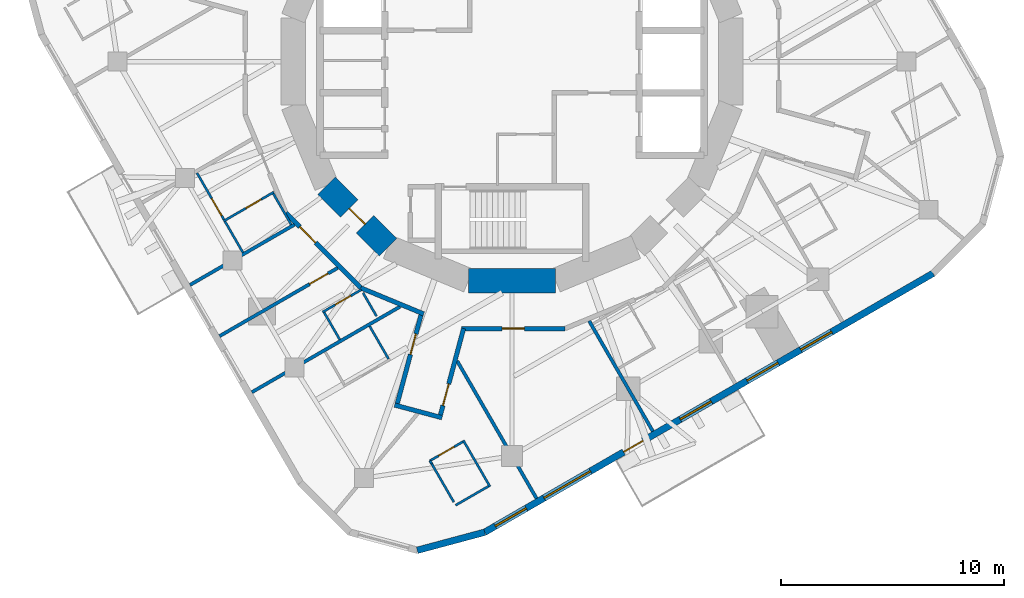
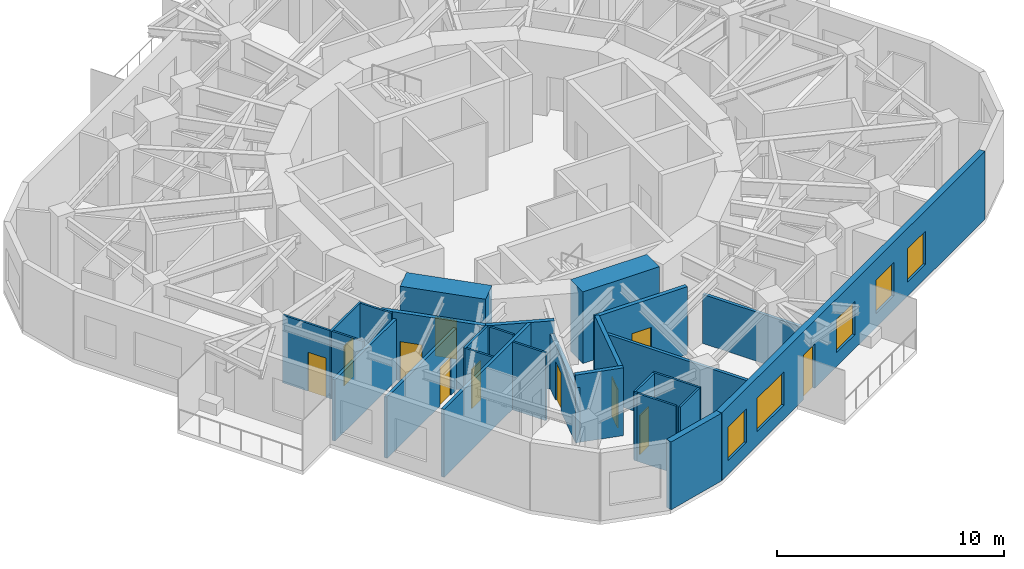
# One storey, part 4 of 11: 28 walls, 11 doors, 5 windows, 16 openings.
"""IFC4 building model written with IfcOpenShell, lengths in metres."""

from ifc_helpers import new_model, si_unit, direction, frame, frame_2d, origin, place, context, subcontext, project, spatial, rectangle, extrude, material, layer, layer_set, type_object, element, fill, save


model = new_model("IFC4")

# Units and contexts
model_context = context("Model", 3, precision=1e-05, world=origin(), true_north=direction((0.0, 1.0)))
body_context = subcontext(model_context, "Body", "Model", "MODEL_VIEW")
ifc_project = project(units=[si_unit("LENGTHUNIT", "METRE"), si_unit("AREAUNIT", "SQUARE_METRE"), si_unit("VOLUMEUNIT", "CUBIC_METRE"), si_unit("PLANEANGLEUNIT", "RADIAN"), si_unit("MASSUNIT", "GRAM", prefix="KILO")], contexts=[model_context])

# Site, building, storey
site_placement = place(None, origin())
site = spatial("IfcSite", under=ifc_project, at=site_placement, CompositionType="ELEMENT")
building_placement = place(site_placement, origin())
building = spatial("IfcBuilding", under=site, at=building_placement, Name="Nakasero Lantern House", CompositionType="ELEMENT")
storey_placement = place(building_placement, frame((0.0, 0.0, 238.5)))
storey = spatial("IfcBuildingStorey", under=building, at=storey_placement, Name="L58", CompositionType="ELEMENT", Elevation=238.5)

# Wall, opening, door
ifc_material_1 = material(Name="Concrete C50/60", Category="concrete")
ifc_layer_1 = layer(ifc_material_1, 1.10009765625)
ifc_layer_set_1 = layer_set([ifc_layer_1], Name="Core wall 1100")
wall_type_1 = type_object("IfcWallType", Name="Core wall 1100", PredefinedType="SHEAR", material=ifc_layer_set_1)
wall_1_placement = place(storey_placement, frame((-8.314697265625, -5.5556640625, 0.0), z_axis=(0.0, 0.0, 1.0), x_axis=(0.707106781187, -0.707106781187, 0.0)))
wall_1 = element("IfcWall", 1, at=wall_1_placement, inside=storey, type_object=wall_type_1, Name="Core wall L58 facet 10", PredefinedType="SHEAR", context=body_context, shape_type="SweptSolid", body=[
    extrude(rectangle(XDim=3.90185546875, YDim=1.10009765625, at=frame_2d((1.950927734375, 0.0))), origin(), (0.0, 0.0, 1.0), 3.85009765625),
])
opening_1_placement = place(wall_1_placement, frame((1.450927734375, 0.0, 0.0)))
opening_1 = element("IfcOpeningElement", 2, at=opening_1_placement, cuts=wall_1, Name="Opening D05", PredefinedType="OPENING", context=body_context, shape_type="SweptSolid", body=[
    extrude(rectangle(XDim=1.0, YDim=2.10009765625, at=frame_2d((0.5, 1.050048828125))), frame((0.0, 0.570068359375, 0.0), z_axis=(0.0, -1.0, 0.0), x_axis=(1.0, 0.0, 0.0)), (0.0, 0.0, 1.0), 1.14013671875),
])
ifc_material_2 = material(Name="Timber C24", Category="wood")
door_type_1 = type_object("IfcDoorType", Name="Core door FD60S 1000", OperationType="SINGLE_SWING_LEFT", PredefinedType="DOOR", material=ifc_material_2)
door_1_placement = place(opening_1_placement, origin())
door_1 = element("IfcDoor", 3, at=door_1_placement, inside=storey, type_object=door_type_1, Name="Door L58 D-CORE10", OperationType="SINGLE_SWING_LEFT", OverallHeight=2.10009765625, OverallWidth=1.0, PredefinedType="DOOR", context=body_context, shape_type="SweptSolid", body=[
    extrude(rectangle(XDim=1.0, YDim=2.10009765625, at=frame_2d((0.5, 1.050048828125))), frame((0.0, 0.02490234375, 0.0), z_axis=(0.0, -1.0, 0.0), x_axis=(1.0, 0.0, 0.0)), (0.0, 0.0, 1.0), 0.050048828125),
])
fill(opening_1, door_1)

# Wall
wall_2_placement = place(storey_placement, frame((-1.950927734375, -9.807861328125, 0.0), z_axis=(0.0, 0.0, 1.0), x_axis=(1.0, 0.0, 0.0)))
element("IfcWall", 4, at=wall_2_placement, inside=storey, type_object=wall_type_1, Name="Core wall L58 facet 12", PredefinedType="SHEAR", context=body_context, shape_type="SweptSolid", body=[
    extrude(rectangle(XDim=3.90185546875, YDim=1.10009765625, at=frame_2d((1.950927734375, 0.0))), origin(), (0.0, 0.0, 1.0), 3.85009765625),
])

# Wall, opening, door
ifc_material_3 = material(Name="Blockwork", Category="masonry")
ifc_layer_2 = layer(ifc_material_3, 0.199951171875)
ifc_layer_set_2 = layer_set([ifc_layer_2], Name="Corridor wall 200")
wall_type_2 = type_object("IfcWallType", Name="Corridor wall 200", PredefinedType="PARTITIONING", material=ifc_layer_set_2)
wall_3_placement = place(storey_placement, frame((2.378662109375, -11.957763671875, 0.0), z_axis=(0.0, 0.0, 1.0), x_axis=(-1.0, 0.0, 0.0)))
wall_3 = element("IfcWall", 5, at=wall_3_placement, inside=storey, type_object=wall_type_2, Name="Corridor wall L58 RC04a", PredefinedType="PARTITIONING", context=body_context, shape_type="SweptSolid", body=[
    extrude(rectangle(XDim=4.651123046875, YDim=0.199951171875, at=frame_2d((2.32568359375, 0.0))), origin(), (0.0, 0.0, 1.0), 3.64990234375),
])
opening_2_placement = place(wall_3_placement, frame((1.820068359375, 0.0, 0.0)))
opening_2 = element("IfcOpeningElement", 6, at=opening_2_placement, cuts=wall_3, Name="Opening D03", PredefinedType="OPENING", context=body_context, shape_type="SweptSolid", body=[
    extrude(rectangle(XDim=1.0, YDim=2.10009765625, at=frame_2d((0.5, 1.050048828125))), frame((0.0, 0.119873046875, 0.0), z_axis=(0.0, -1.0, 0.0), x_axis=(1.0, 0.0, 0.0)), (0.0, 0.0, 1.0), 0.239990234375),
])
ifc_material_4 = material(Name="Timber C24", Category="wood")
door_type_2 = type_object("IfcDoorType", Name="Lounge door FD30S 1000", OperationType="SINGLE_SWING_LEFT", PredefinedType="DOOR", material=ifc_material_4)
door_2_placement = place(opening_2_placement, origin())
door_2 = element("IfcDoor", 7, at=door_2_placement, inside=storey, type_object=door_type_2, Name="Door L58 DK3", OperationType="SINGLE_SWING_LEFT", OverallHeight=2.10009765625, OverallWidth=1.0, PredefinedType="DOOR", context=body_context, shape_type="SweptSolid", body=[
    extrude(rectangle(XDim=1.0, YDim=2.10009765625, at=frame_2d((0.5, 1.050048828125))), frame((0.0, 0.02490234375, 0.0), z_axis=(0.0, -1.0, 0.0), x_axis=(1.0, 0.0, 0.0)), (0.0, 0.0, 1.0), 0.050048828125),
])
fill(opening_2, door_2)

# Wall
wall_4_placement = place(storey_placement, frame((-3.960205078125, -11.302734375, 0.0), z_axis=(0.0, 0.0, 1.0), x_axis=(-0.923890787601, 0.382656259044, 0.0)))
element("IfcWall", 8, at=wall_4_placement, inside=storey, type_object=wall_type_2, Name="Corridor wall L58 RC05a", PredefinedType="PARTITIONING", context=body_context, shape_type="SweptSolid", body=[
    extrude(rectangle(XDim=3.045166015625, YDim=0.199951171875, at=frame_2d((1.5224609375, 0.0))), origin(), (0.0, 0.0, 1.0), 3.64990234375),
])

# Wall, opening, door
wall_5_placement = place(storey_placement, frame((-6.773681640625, -10.137451171875, 0.0), z_axis=(0.0, 0.0, 1.0), x_axis=(-0.707106781187, 0.707106781187, 0.0)))
wall_5 = element("IfcWall", 9, at=wall_5_placement, inside=storey, type_object=wall_type_2, Name="Corridor wall L58 RC06a", PredefinedType="PARTITIONING", context=body_context, shape_type="SweptSolid", body=[
    extrude(rectangle(XDim=4.757080078125, YDim=0.199951171875, at=frame_2d((2.37841796875, 0.0))), origin(), (0.0, 0.0, 1.0), 3.64990234375),
])
opening_3_placement = place(wall_5_placement, frame((2.8701171875, 0.0, 0.0)))
opening_3 = element("IfcOpeningElement", 10, at=opening_3_placement, cuts=wall_5, Name="Opening D14", PredefinedType="OPENING", context=body_context, shape_type="SweptSolid", body=[
    extrude(rectangle(XDim=1.0, YDim=2.10009765625, at=frame_2d((0.5, 1.050048828125))), frame((0.0, 0.119873046875, 0.0), z_axis=(0.0, -1.0, 0.0), x_axis=(1.0, 0.0, 0.0)), (0.0, 0.0, 1.0), 0.239990234375),
])
ifc_material_5 = material(Name="Timber C24", Category="wood")
door_type_3 = type_object("IfcDoorType", Name="Cluster entrance door FD30S 1000", OperationType="SINGLE_SWING_LEFT", PredefinedType="DOOR", material=ifc_material_5)
door_3_placement = place(opening_3_placement, origin())
door_3 = element("IfcDoor", 11, at=door_3_placement, inside=storey, type_object=door_type_3, Name="Door L58 D2-04", OperationType="SINGLE_SWING_RIGHT", OverallHeight=2.10009765625, OverallWidth=1.0, PredefinedType="DOOR", context=body_context, shape_type="SweptSolid", body=[
    extrude(rectangle(XDim=1.0, YDim=2.10009765625, at=frame_2d((0.5, 1.050048828125))), frame((0.0, 0.02490234375, 0.0), z_axis=(0.0, -1.0, 0.0), x_axis=(1.0, 0.0, 0.0)), (0.0, 0.0, 1.0), 0.050048828125),
])
fill(opening_3, door_3)

wall_6_placement = place(storey_placement, frame((-4.053466796875, -11.26416015625, 0.0), z_axis=(0.0, 0.0, 1.0), x_axis=(-0.258841611204, -0.965919779438, 0.0)))
wall_6 = element("IfcWall", 12, at=wall_6_placement, inside=storey, type_object=wall_type_2, Name="Corridor wall L58 SP2a", PredefinedType="PARTITIONING", context=body_context, shape_type="SweptSolid", body=[
    extrude(rectangle(XDim=4.394287109375, YDim=0.199951171875, at=frame_2d((2.197265625, 0.0))), origin(), (0.0, 0.0, 1.0), 2.95703125),
])
opening_4_placement = place(wall_6_placement, frame((0.969970703125, 0.0, 0.0)))
opening_4 = element("IfcOpeningElement", 13, at=opening_4_placement, cuts=wall_6, Name="Opening D01", PredefinedType="OPENING", context=body_context, shape_type="SweptSolid", body=[
    extrude(rectangle(XDim=0.949951171875, YDim=2.10009765625, at=frame_2d((0.47509765625, 1.050048828125))), frame((0.0, 0.119873046875, 0.0), z_axis=(0.0, -1.0, 0.0), x_axis=(1.0, 0.0, 0.0)), (0.0, 0.0, 1.0), 0.239990234375),
])
ifc_material_6 = material(Name="Timber C24", Category="wood")
door_type_4 = type_object("IfcDoorType", Name="Bedroom door FD30S 950", OperationType="SINGLE_SWING_LEFT", PredefinedType="DOOR", material=ifc_material_6)
door_4_placement = place(opening_4_placement, origin())
door_4 = element("IfcDoor", 14, at=door_4_placement, inside=storey, type_object=door_type_4, Name="Door L58 D2-06", OperationType="SINGLE_SWING_LEFT", OverallHeight=2.10009765625, OverallWidth=0.949951171875, PredefinedType="DOOR", context=body_context, shape_type="SweptSolid", body=[
    extrude(rectangle(XDim=0.949951171875, YDim=2.10009765625, at=frame_2d((0.47509765625, 1.050048828125))), frame((0.0, 0.02490234375, 0.0), z_axis=(0.0, -1.0, 0.0), x_axis=(1.0, 0.0, 0.0)), (0.0, 0.0, 1.0), 0.050048828125),
])
fill(opening_4, door_4)

wall_7_placement = place(storey_placement, frame((-2.168701171875, -11.957763671875, 0.0), z_axis=(0.0, 0.0, 1.0), x_axis=(-0.258852936168, -0.965916744568, 0.0)))
wall_7 = element("IfcWall", 15, at=wall_7_placement, inside=storey, type_object=wall_type_2, Name="Corridor wall L58 SP2b", PredefinedType="PARTITIONING", context=body_context, shape_type="SweptSolid", body=[
    extrude(rectangle(XDim=4.212158203125, YDim=0.199951171875, at=frame_2d((2.10595703125, 0.0))), origin(), (0.0, 0.0, 1.0), 3.64990234375),
])
opening_5_placement = place(wall_7_placement, frame((2.570068359375, 0.0, 0.0)))
opening_5 = element("IfcOpeningElement", 16, at=opening_5_placement, cuts=wall_7, Name="Opening D07", PredefinedType="OPENING", context=body_context, shape_type="SweptSolid", body=[
    extrude(rectangle(XDim=1.0, YDim=2.10009765625, at=frame_2d((0.5, 1.050048828125))), frame((0.0, 0.119873046875, 0.0), z_axis=(0.0, -1.0, 0.0), x_axis=(1.0, 0.0, 0.0)), (0.0, 0.0, 1.0), 0.239990234375),
])
ifc_material_7 = material(Name="Timber C24", Category="wood")
door_type_5 = type_object("IfcDoorType", Name="Room door FD30S 1000", OperationType="SINGLE_SWING_LEFT", PredefinedType="DOOR", material=ifc_material_7)
door_5_placement = place(opening_5_placement, origin())
door_5 = element("IfcDoor", 17, at=door_5_placement, inside=storey, type_object=door_type_5, Name="Door L58 D3-00", OperationType="SINGLE_SWING_RIGHT", OverallHeight=2.10009765625, OverallWidth=1.0, PredefinedType="DOOR", context=body_context, shape_type="SweptSolid", body=[
    extrude(rectangle(XDim=1.0, YDim=2.10009765625, at=frame_2d((0.5, 1.050048828125))), frame((0.0, 0.02490234375, 0.0), z_axis=(0.0, -1.0, 0.0), x_axis=(1.0, 0.0, 0.0)), (0.0, 0.0, 1.0), 0.050048828125),
])
fill(opening_5, door_5)

# Wall
wall_8_placement = place(storey_placement, frame((-5.261474609375, -15.38623046875, 0.0), z_axis=(0.0, 0.0, 1.0), x_axis=(0.965904454439, -0.258898792763, 0.0)))
element("IfcWall", 18, at=wall_8_placement, inside=storey, type_object=wall_type_2, Name="Corridor wall L58 SP2e", PredefinedType="PARTITIONING", context=body_context, shape_type="SweptSolid", body=[
    extrude(rectangle(XDim=2.199951171875, YDim=0.199951171875, at=frame_2d((1.10009765625, 0.0))), origin(), (0.0, 0.0, 1.0), 3.64990234375),
])

# Wall, opening, door
ifc_material_8 = material(Name="Blockwork", Category="masonry")
ifc_layer_3 = layer(ifc_material_8, 0.10009765625)
ifc_layer_set_3 = layer_set([ifc_layer_3], Name="En-suite wall 100")
wall_type_3 = type_object("IfcWallType", Name="En-suite wall 100", PredefinedType="PARTITIONING", material=ifc_layer_set_3)
wall_9_placement = place(storey_placement, frame((-10.674560546875, -5.846435546875, 0.0), z_axis=(0.0, 0.0, 1.0), x_axis=(-0.866021400173, -0.500006934395, 0.0)))
wall_9 = element("IfcWall", 19, at=wall_9_placement, inside=storey, type_object=wall_type_3, Name="En-suite wall L58 ES2-03", PredefinedType="PARTITIONING", context=body_context, shape_type="SweptSolid", body=[
    extrude(rectangle(XDim=2.60009765625, YDim=0.10009765625, at=frame_2d((1.300048828125, 0.0))), origin(), (0.0, 0.0, 1.0), 3.64990234375),
])
opening_6_placement = place(wall_9_placement, frame((0.64990234375, 0.0, 0.0)))
opening_6 = element("IfcOpeningElement", 20, at=opening_6_placement, cuts=wall_9, Name="Opening D02", PredefinedType="OPENING", context=body_context, shape_type="SweptSolid", body=[
    extrude(rectangle(XDim=0.800048828125, YDim=2.10009765625, at=frame_2d((0.39990234375, 1.050048828125))), frame((0.0, 0.070068359375, 0.0), z_axis=(0.0, -1.0, 0.0), x_axis=(1.0, 0.0, 0.0)), (0.0, 0.0, 1.0), 0.14013671875),
])
ifc_material_9 = material(Name="Timber C24", Category="wood")
door_type_6 = type_object("IfcDoorType", Name="En-suite door 800", OperationType="SINGLE_SWING_RIGHT", PredefinedType="DOOR", material=ifc_material_9)
door_6_placement = place(opening_6_placement, origin())
door_6 = element("IfcDoor", 21, at=door_6_placement, inside=storey, type_object=door_type_6, Name="Door L58 DE2-03", OperationType="SINGLE_SWING_LEFT", OverallHeight=2.10009765625, OverallWidth=0.800048828125, PredefinedType="DOOR", context=body_context, shape_type="SweptSolid", body=[
    extrude(rectangle(XDim=0.800048828125, YDim=2.10009765625, at=frame_2d((0.39990234375, 1.050048828125))), frame((0.0, 0.02490234375, 0.0), z_axis=(0.0, -1.0, 0.0), x_axis=(1.0, 0.0, 0.0)), (0.0, 0.0, 1.0), 0.050048828125),
])
fill(opening_6, door_6)

# Walls
for number, where, z_axis, x_axis, name in (
    (22, (-12.85791015625, -7.164794921875, 0.0), (0.0, 0.0, 1.0), (0.499880961361, -0.866094119867, 0.0), "En-suite wall L58 EE2-03"),
    (23, (-10.69287109375, -5.914794921875, 0.0), (0.0, 0.0, 1.0), (0.499880961361, -0.866094119867, 0.0), "En-suite wall L58 EI2-03"),
):
    element("IfcWall", number, at=place(storey_placement, frame(where, z_axis=z_axis, x_axis=x_axis)), inside=storey, type_object=wall_type_3, Name=name, PredefinedType="PARTITIONING", context=body_context, shape_type="SweptSolid", body=[
        extrude(rectangle(XDim=1.60009765625, YDim=0.10009765625, at=frame_2d((0.800048828125, 0.0))), origin(), (0.0, 0.0, 1.0), 3.64990234375),
    ])

# Wall, opening, door
wall_10_placement = place(storey_placement, frame((-6.754150390625, -10.220703125, 0.0), z_axis=(0.0, 0.0, 1.0), x_axis=(-0.866010750942, -0.50002537861, 0.0)))
wall_10 = element("IfcWall", 24, at=wall_10_placement, inside=storey, type_object=wall_type_3, Name="En-suite wall L58 ES2-05", PredefinedType="PARTITIONING", context=body_context, shape_type="SweptSolid", body=[
    extrude(rectangle(XDim=2.0, YDim=0.10009765625, at=frame_2d((1.0, 0.0))), origin(), (0.0, 0.0, 1.0), 3.64990234375),
])
opening_7_placement = place(wall_10_placement, frame((0.550048828125, 0.0, 0.0)))
opening_7 = element("IfcOpeningElement", 25, at=opening_7_placement, cuts=wall_10, Name="Opening D02", PredefinedType="OPENING", context=body_context, shape_type="SweptSolid", body=[
    extrude(rectangle(XDim=0.800048828125, YDim=2.10009765625, at=frame_2d((0.39990234375, 1.050048828125))), frame((0.0, 0.070068359375, 0.0), z_axis=(0.0, -1.0, 0.0), x_axis=(1.0, 0.0, 0.0)), (0.0, 0.0, 1.0), 0.14013671875),
])
door_7_placement = place(opening_7_placement, origin())
door_7 = element("IfcDoor", 26, at=door_7_placement, inside=storey, type_object=door_type_6, Name="Door L58 DE2-05", OperationType="SINGLE_SWING_LEFT", OverallHeight=2.10009765625, OverallWidth=0.800048828125, PredefinedType="DOOR", context=body_context, shape_type="SweptSolid", body=[
    extrude(rectangle(XDim=0.800048828125, YDim=2.10009765625, at=frame_2d((0.39990234375, 1.050048828125))), frame((0.0, 0.02490234375, 0.0), z_axis=(0.0, -1.0, 0.0), x_axis=(1.0, 0.0, 0.0)), (0.0, 0.0, 1.0), 0.050048828125),
])
fill(opening_7, door_7)

# Walls
wall_11_placement = place(storey_placement, frame((-8.417724609375, -11.239013671875, 0.0), z_axis=(0.0, 0.0, 1.0), x_axis=(0.49998411664, -0.866034573852, 0.0)))
element("IfcWall", 27, at=wall_11_placement, inside=storey, type_object=wall_type_3, Name="En-suite wall L58 EE2-05", PredefinedType="PARTITIONING", context=body_context, shape_type="SweptSolid", body=[
    extrude(rectangle(XDim=1.39990234375, YDim=0.10009765625, at=frame_2d((0.699951171875, 0.0))), origin(), (0.0, 0.0, 1.0), 3.64990234375),
])
wall_12_placement = place(storey_placement, frame((-6.37890625, -11.8515625, 0.0), z_axis=(0.0, 0.0, 1.0), x_axis=(0.500062241894, -0.865989465428, 0.0)))
element("IfcWall", 28, at=wall_12_placement, inside=storey, type_object=wall_type_3, Name="En-suite wall L58 EI2-06", PredefinedType="PARTITIONING", context=body_context, shape_type="SweptSolid", body=[
    extrude(rectangle(XDim=1.699951171875, YDim=0.10009765625, at=frame_2d((0.85009765625, 0.0))), origin(), (0.0, 0.0, 1.0), 3.64990234375),
])
wall_13_placement = place(storey_placement, frame((-2.18505859375, -16.96533203125, 0.0), z_axis=(0.0, 0.0, 1.0), x_axis=(0.499957262057, -0.866050077142, 0.0)))
element("IfcWall", 29, at=wall_13_placement, inside=storey, type_object=wall_type_3, Name="En-suite wall L58 ES3-00", PredefinedType="PARTITIONING", context=body_context, shape_type="SweptSolid", body=[
    extrude(rectangle(XDim=2.400146484375, YDim=0.10009765625, at=frame_2d((1.2001953125, 0.0))), origin(), (0.0, 0.0, 1.0), 3.64990234375),
])
wall_14_placement = place(storey_placement, frame((-2.525634765625, -19.87548828125, 0.0), z_axis=(0.0, 0.0, 1.0), x_axis=(0.866087547558, 0.499892348375, 0.0)))
element("IfcWall", 30, at=wall_14_placement, inside=storey, type_object=wall_type_3, Name="En-suite wall L58 EE3-00", PredefinedType="PARTITIONING", context=body_context, shape_type="SweptSolid", body=[
    extrude(rectangle(XDim=1.699951171875, YDim=0.10009765625, at=frame_2d((0.85009765625, 0.0))), origin(), (0.0, 0.0, 1.0), 3.64990234375),
])

# Wall, opening, door
wall_15_placement = place(storey_placement, frame((-3.675537109375, -17.8837890625, 0.0), z_axis=(0.0, 0.0, 1.0), x_axis=(0.865989465428, 0.500062241894, 0.0)))
wall_15 = element("IfcWall", 31, at=wall_15_placement, inside=storey, type_object=wall_type_3, Name="En-suite wall L58 EI3-00", PredefinedType="PARTITIONING", context=body_context, shape_type="SweptSolid", body=[
    extrude(rectangle(XDim=1.699951171875, YDim=0.10009765625, at=frame_2d((0.85009765625, 0.0))), origin(), (0.0, 0.0, 1.0), 3.64990234375),
])
opening_8_placement = place(wall_15_placement, frame((0.449951171875, 0.0, 0.0)))
opening_8 = element("IfcOpeningElement", 32, at=opening_8_placement, cuts=wall_15, Name="Opening D15", PredefinedType="OPENING", context=body_context, shape_type="SweptSolid", body=[
    extrude(rectangle(XDim=0.800048828125, YDim=2.10009765625, at=frame_2d((0.39990234375, 1.050048828125))), frame((0.0, 0.070068359375, 0.0), z_axis=(0.0, -1.0, 0.0), x_axis=(1.0, 0.0, 0.0)), (0.0, 0.0, 1.0), 0.14013671875),
])
ifc_material_10 = material(Name="Timber C24", Category="wood")
door_type_7 = type_object("IfcDoorType", Name="Cleaner's store door FD30S 800", OperationType="SINGLE_SWING_LEFT", PredefinedType="DOOR", material=ifc_material_10)
door_8_placement = place(opening_8_placement, origin())
door_8 = element("IfcDoor", 33, at=door_8_placement, inside=storey, type_object=door_type_7, Name="Door L58 DE3-00", OperationType="SINGLE_SWING_RIGHT", OverallHeight=2.10009765625, OverallWidth=0.800048828125, PredefinedType="DOOR", context=body_context, shape_type="SweptSolid", body=[
    extrude(rectangle(XDim=0.800048828125, YDim=2.10009765625, at=frame_2d((0.39990234375, 1.050048828125))), frame((0.0, 0.02490234375, 0.0), z_axis=(0.0, -1.0, 0.0), x_axis=(1.0, 0.0, 0.0)), (0.0, 0.0, 1.0), 0.050048828125),
])
fill(opening_8, door_8)

wall_16_placement = place(storey_placement, frame((-14.1162109375, -4.985595703125, 0.0), z_axis=(0.0, 0.0, 1.0), x_axis=(0.500040226184, -0.86600217794, 0.0)))
wall_16 = element("IfcWall", 34, at=wall_16_placement, inside=storey, type_object=wall_type_3, Name="En-suite wall L58 EL2-03", PredefinedType="PARTITIONING", context=body_context, shape_type="SweptSolid", body=[
    extrude(rectangle(XDim=2.416259765625, YDim=0.10009765625, at=frame_2d((1.2080078125, 0.0))), origin(), (0.0, 0.0, 1.0), 3.64990234375),
])
opening_9_placement = place(wall_16_placement, frame((1.31640625, 0.0, 0.0)))
opening_9 = element("IfcOpeningElement", 35, at=opening_9_placement, cuts=wall_16, Name="Opening D17", PredefinedType="OPENING", context=body_context, shape_type="SweptSolid", body=[
    extrude(rectangle(XDim=0.89990234375, YDim=2.10009765625, at=frame_2d((0.449951171875, 1.050048828125))), frame((0.0, 0.070068359375, 0.0), z_axis=(0.0, -1.0, 0.0), x_axis=(1.0, 0.0, 0.0)), (0.0, 0.0, 1.0), 0.14013671875),
])
ifc_material_11 = material(Name="Timber C24", Category="wood")
door_type_8 = type_object("IfcDoorType", Name="Bedroom door FD30S 900", OperationType="SINGLE_SWING_LEFT", PredefinedType="DOOR", material=ifc_material_11)
door_9_placement = place(opening_9_placement, origin())
door_9 = element("IfcDoor", 36, at=door_9_placement, inside=storey, type_object=door_type_8, Name="Door L58 DL2-03", OperationType="SINGLE_SWING_RIGHT", OverallHeight=2.10009765625, OverallWidth=0.89990234375, PredefinedType="DOOR", context=body_context, shape_type="SweptSolid", body=[
    extrude(rectangle(XDim=0.89990234375, YDim=2.10009765625, at=frame_2d((0.449951171875, 1.050048828125))), frame((0.0, 0.02490234375, 0.0), z_axis=(0.0, -1.0, 0.0), x_axis=(1.0, 0.0, 0.0)), (0.0, 0.0, 1.0), 0.050048828125),
])
fill(opening_9, door_9)

# Walls
wall_17_placement = place(storey_placement, frame((-6.071533203125, -11.40283203125, 0.0), z_axis=(0.0, 0.0, 1.0), x_axis=(-0.500061536317, 0.86598987286, 0.0)))
element("IfcWall", 37, at=wall_17_placement, inside=storey, type_object=wall_type_3, Name="En-suite wall L58 EX004", PredefinedType="PARTITIONING", context=body_context, shape_type="SweptSolid", body=[
    extrude(rectangle(XDim=1.204833984375, YDim=0.10009765625, at=frame_2d((0.6025390625, 0.0))), origin(), (0.0, 0.0, 1.0), 3.64990234375),
])
wall_18_placement = place(storey_placement, frame((-3.595458984375, -18.022216796875, 0.0), z_axis=(0.0, 0.0, 1.0), x_axis=(0.499971491109, -0.866041862775, 0.0)))
element("IfcWall", 38, at=wall_18_placement, inside=storey, type_object=wall_type_3, Name="En-suite wall L58 EX005", PredefinedType="PARTITIONING", context=body_context, shape_type="SweptSolid", body=[
    extrude(rectangle(XDim=1.97998046875, YDim=0.10009765625, at=frame_2d((0.989990234375, 0.0))), origin(), (0.0, 0.0, 1.0), 3.64990234375),
])
wall_19_placement = place(storey_placement, frame((-3.675537109375, -17.8837890625, 0.0), z_axis=(0.0, 0.0, 1.0), x_axis=(0.500735348028, -0.865600433939, 0.0)))
element("IfcWall", 39, at=wall_19_placement, inside=storey, type_object=wall_type_3, Name="En-suite wall L58 EI3-00R0", PredefinedType="PARTITIONING", context=body_context, shape_type="SweptSolid", body=[
    extrude(rectangle(XDim=0.159912109375, YDim=0.10009765625, at=frame_2d((0.080078125, 0.0))), origin(), (0.0, 0.0, 1.0), 3.64990234375),
])
ifc_material_12 = material(Name="Aluminium rainscreen on blockwork", Category="masonry")
ifc_layer_4 = layer(ifc_material_12, 0.300048828125)
ifc_layer_set_4 = layer_set([ifc_layer_4], Name="Facade wall 300")
wall_type_4 = type_object("IfcWallType", Name="Facade wall 300", PredefinedType="SOLIDWALL", material=ifc_layer_set_4)
wall_20_placement = place(storey_placement, frame((-4.245849609375, -21.89599609375, 0.0), z_axis=(0.0, 0.0, 1.0), x_axis=(0.96592369199, 0.258827010283, 0.0)))
element("IfcWall", 40, at=wall_20_placement, inside=storey, type_object=wall_type_4, Name="Facade wall L58 FW2C3", PredefinedType="SOLIDWALL", context=body_context, shape_type="SweptSolid", body=[
    extrude(rectangle(XDim=3.131591796875, YDim=0.300048828125, at=frame_2d((1.56591796875, 0.0))), origin(), (0.0, 0.0, 1.0), 3.64990234375),
])

# Wall, openings, door, windows
wall_21_placement = place(storey_placement, frame((-1.220947265625, -21.08544921875, 0.0), z_axis=(0.0, 0.0, 1.0), x_axis=(0.86602366199, 0.500003016864, 0.0)))
wall_21 = element("IfcWall", 41, at=wall_21_placement, inside=storey, type_object=wall_type_4, Name="Facade wall L58 FW3S", PredefinedType="SOLIDWALL", context=body_context, shape_type="SweptSolid", body=[
    extrude(rectangle(XDim=23.199951171875, YDim=0.300048828125, at=frame_2d((11.60009765625, 0.0))), origin(), (0.0, 0.0, 1.0), 3.64990234375),
])
opening_10_placement = place(wall_21_placement, frame((0.5458984375, 0.0, 0.75)))
opening_10 = element("IfcOpeningElement", 42, at=opening_10_placement, cuts=wall_21, Name="Opening W01", PredefinedType="OPENING", context=body_context, shape_type="SweptSolid", body=[
    extrude(rectangle(XDim=1.60009765625, YDim=1.800048828125, at=frame_2d((0.800048828125, 0.89990234375))), frame((0.0, 0.169921875, 0.0), z_axis=(0.0, -1.0, 0.0), x_axis=(1.0, 0.0, 0.0)), (0.0, 0.0, 1.0), 0.340087890625),
])
opening_11_placement = place(wall_21_placement, frame((10.11767578125, 0.0, 0.75)))
opening_11 = element("IfcOpeningElement", 43, at=opening_11_placement, cuts=wall_21, Name="Opening W01", PredefinedType="OPENING", context=body_context, shape_type="SweptSolid", body=[
    extrude(rectangle(XDim=1.60009765625, YDim=1.800048828125, at=frame_2d((0.800048828125, 0.89990234375))), frame((0.0, 0.169921875, 0.0), z_axis=(0.0, -1.0, 0.0), x_axis=(1.0, 0.0, 0.0)), (0.0, 0.0, 1.0), 0.340087890625),
])
opening_12_placement = place(wall_21_placement, frame((13.5751953125, 0.0, 0.75)))
opening_12 = element("IfcOpeningElement", 44, at=opening_12_placement, cuts=wall_21, Name="Opening W01", PredefinedType="OPENING", context=body_context, shape_type="SweptSolid", body=[
    extrude(rectangle(XDim=1.60009765625, YDim=1.800048828125, at=frame_2d((0.800048828125, 0.89990234375))), frame((0.0, 0.169921875, 0.0), z_axis=(0.0, -1.0, 0.0), x_axis=(1.0, 0.0, 0.0)), (0.0, 0.0, 1.0), 0.340087890625),
])
opening_13_placement = place(wall_21_placement, frame((16.349609375, 0.0, 0.75)))
opening_13 = element("IfcOpeningElement", 45, at=opening_13_placement, cuts=wall_21, Name="Opening W01", PredefinedType="OPENING", context=body_context, shape_type="SweptSolid", body=[
    extrude(rectangle(XDim=1.60009765625, YDim=1.800048828125, at=frame_2d((0.800048828125, 0.89990234375))), frame((0.0, 0.169921875, 0.0), z_axis=(0.0, -1.0, 0.0), x_axis=(1.0, 0.0, 0.0)), (0.0, 0.0, 1.0), 0.340087890625),
])
opening_14_placement = place(wall_21_placement, frame((3.071044921875, 0.0, 0.75)))
opening_14 = element("IfcOpeningElement", 46, at=opening_14_placement, cuts=wall_21, Name="Opening W03", PredefinedType="OPENING", context=body_context, shape_type="SweptSolid", body=[
    extrude(rectangle(XDim=2.39990234375, YDim=1.800048828125, at=frame_2d((1.199951171875, 0.89990234375))), frame((0.0, 0.169921875, 0.0), z_axis=(0.0, -1.0, 0.0), x_axis=(1.0, 0.0, 0.0)), (0.0, 0.0, 1.0), 0.340087890625),
])
opening_15_placement = place(wall_21_placement, frame((7.1904296875, 0.0, 0.0)))
opening_15 = element("IfcOpeningElement", 47, at=opening_15_placement, cuts=wall_21, Name="Opening D04", PredefinedType="OPENING", context=body_context, shape_type="SweptSolid", body=[
    extrude(rectangle(XDim=1.0, YDim=2.39990234375, at=frame_2d((0.5, 1.199951171875))), frame((0.0, 0.169921875, 0.0), z_axis=(0.0, -1.0, 0.0), x_axis=(1.0, 0.0, 0.0)), (0.0, 0.0, 1.0), 0.340087890625),
])
ifc_material_13 = material(Name="Aluminium 6063-T6 and glass", Category="aluminium")
door_type_9 = type_object("IfcDoorType", Name="Balcony door 1000x2400", OperationType="SINGLE_SWING_RIGHT", PredefinedType="DOOR", material=ifc_material_13)
door_10_placement = place(opening_15_placement, origin())
door_10 = element("IfcDoor", 48, at=door_10_placement, inside=storey, type_object=door_type_9, Name="Balcony door L58 DB3", OperationType="SINGLE_SWING_RIGHT", OverallHeight=2.39990234375, OverallWidth=1.0, PredefinedType="DOOR", context=body_context, shape_type="SweptSolid", body=[
    extrude(rectangle(XDim=1.0, YDim=2.39990234375, at=frame_2d((0.5, 1.199951171875))), frame((0.0, 0.02490234375, 0.0), z_axis=(0.0, -1.0, 0.0), x_axis=(1.0, 0.0, 0.0)), (0.0, 0.0, 1.0), 0.050048828125),
])
fill(opening_15, door_10)
ifc_material_14 = material(Name="Aluminium 6063-T6 and glass", Category="aluminium")
window_type_1 = type_object("IfcWindowType", Name="Bedroom window 1600x1800", PartitioningType="SINGLE_PANEL", PredefinedType="WINDOW", material=ifc_material_14)
window_1_placement = place(opening_10_placement, origin())
window_1 = element("IfcWindow", 49, at=window_1_placement, inside=storey, type_object=window_type_1, Name="Window L58 WN3-00", OverallHeight=1.800048828125, OverallWidth=1.60009765625, PartitioningType="SINGLE_PANEL", PredefinedType="WINDOW", context=body_context, shape_type="SweptSolid", body=[
    extrude(rectangle(XDim=1.60009765625, YDim=1.800048828125, at=frame_2d((0.800048828125, 0.89990234375))), frame((0.0, 0.030029296875, 0.0), z_axis=(0.0, -1.0, 0.0), x_axis=(1.0, 0.0, 0.0)), (0.0, 0.0, 1.0), 0.06005859375),
])
fill(opening_10, window_1)
window_2_placement = place(opening_11_placement, origin())
window_2 = element("IfcWindow", 50, at=window_2_placement, inside=storey, type_object=window_type_1, Name="Window L58 WN3-03", OverallHeight=1.800048828125, OverallWidth=1.60009765625, PartitioningType="SINGLE_PANEL", PredefinedType="WINDOW", context=body_context, shape_type="SweptSolid", body=[
    extrude(rectangle(XDim=1.60009765625, YDim=1.800048828125, at=frame_2d((0.800048828125, 0.89990234375))), frame((0.0, 0.030029296875, 0.0), z_axis=(0.0, -1.0, 0.0), x_axis=(1.0, 0.0, 0.0)), (0.0, 0.0, 1.0), 0.06005859375),
])
fill(opening_11, window_2)
window_3_placement = place(opening_12_placement, origin())
window_3 = element("IfcWindow", 51, at=window_3_placement, inside=storey, type_object=window_type_1, Name="Window L58 WN3-04", OverallHeight=1.800048828125, OverallWidth=1.60009765625, PartitioningType="SINGLE_PANEL", PredefinedType="WINDOW", context=body_context, shape_type="SweptSolid", body=[
    extrude(rectangle(XDim=1.60009765625, YDim=1.800048828125, at=frame_2d((0.800048828125, 0.89990234375))), frame((0.0, 0.030029296875, 0.0), z_axis=(0.0, -1.0, 0.0), x_axis=(1.0, 0.0, 0.0)), (0.0, 0.0, 1.0), 0.06005859375),
])
fill(opening_12, window_3)
window_4_placement = place(opening_13_placement, origin())
window_4 = element("IfcWindow", 52, at=window_4_placement, inside=storey, type_object=window_type_1, Name="Window L58 WN3-05", OverallHeight=1.800048828125, OverallWidth=1.60009765625, PartitioningType="SINGLE_PANEL", PredefinedType="WINDOW", context=body_context, shape_type="SweptSolid", body=[
    extrude(rectangle(XDim=1.60009765625, YDim=1.800048828125, at=frame_2d((0.800048828125, 0.89990234375))), frame((0.0, 0.030029296875, 0.0), z_axis=(0.0, -1.0, 0.0), x_axis=(1.0, 0.0, 0.0)), (0.0, 0.0, 1.0), 0.06005859375),
])
fill(opening_13, window_4)
ifc_material_15 = material(Name="Aluminium 6063-T6 and glass", Category="aluminium")
window_type_2 = type_object("IfcWindowType", Name="Lounge window 2400x1800", PartitioningType="SINGLE_PANEL", PredefinedType="WINDOW", material=ifc_material_15)
window_5_placement = place(opening_14_placement, origin())
window_5 = element("IfcWindow", 53, at=window_5_placement, inside=storey, type_object=window_type_2, Name="Window L58 WK3", OverallHeight=1.800048828125, OverallWidth=2.39990234375, PartitioningType="SINGLE_PANEL", PredefinedType="WINDOW", context=body_context, shape_type="SweptSolid", body=[
    extrude(rectangle(XDim=2.39990234375, YDim=1.800048828125, at=frame_2d((1.199951171875, 0.89990234375))), frame((0.0, 0.030029296875, 0.0), z_axis=(0.0, -1.0, 0.0), x_axis=(1.0, 0.0, 0.0)), (0.0, 0.0, 1.0), 0.06005859375),
])
fill(opening_14, window_5)

# Wall
ifc_material_16 = material(Name="Blockwork", Category="masonry")
ifc_layer_5 = layer(ifc_material_16, 0.14990234375)
ifc_layer_set_5 = layer_set([ifc_layer_5], Name="Party wall 150")
wall_type_5 = type_object("IfcWallType", Name="Party wall 150", PredefinedType="PARTITIONING", material=ifc_layer_set_5)
wall_22_placement = place(storey_placement, frame((-9.748779296875, -7.3037109375, 0.0), z_axis=(0.0, 0.0, 1.0), x_axis=(-0.86600807666, -0.500030010259, 0.0)))
element("IfcWall", 54, at=wall_22_placement, inside=storey, type_object=wall_type_5, Name="Party wall L58 PW2-04", PredefinedType="PARTITIONING", context=body_context, shape_type="SweptSolid", body=[
    extrude(rectangle(XDim=5.405517578125, YDim=0.14990234375, at=frame_2d((2.70263671875, 0.0))), origin(), (0.0, 0.0, 1.0), 3.294921875),
])

# Wall, opening, door
wall_23_placement = place(storey_placement, frame((-7.8095703125, -9.24267578125, 0.0), z_axis=(0.0, 0.0, 1.0), x_axis=(-0.866033345069, -0.49998624504, 0.0)))
wall_23 = element("IfcWall", 55, at=wall_23_placement, inside=storey, type_object=wall_type_5, Name="Party wall L58 PW2-05", PredefinedType="PARTITIONING", context=body_context, shape_type="SweptSolid", body=[
    extrude(rectangle(XDim=6.115478515625, YDim=0.14990234375, at=frame_2d((3.0576171875, 0.0))), origin(), (0.0, 0.0, 1.0), 3.294921875),
])
opening_16_placement = place(wall_23_placement, frame((0.5, 0.0, 0.0)))
opening_16 = element("IfcOpeningElement", 56, at=opening_16_placement, cuts=wall_23, Name="Opening D01", PredefinedType="OPENING", context=body_context, shape_type="SweptSolid", body=[
    extrude(rectangle(XDim=0.949951171875, YDim=2.10009765625, at=frame_2d((0.47509765625, 1.050048828125))), frame((0.0, 0.094970703125, 0.0), z_axis=(0.0, -1.0, 0.0), x_axis=(1.0, 0.0, 0.0)), (0.0, 0.0, 1.0), 0.18994140625),
])
door_11_placement = place(opening_16_placement, origin())
door_11 = element("IfcDoor", 57, at=door_11_placement, inside=storey, type_object=door_type_4, Name="Door L58 DS2-05", OperationType="SINGLE_SWING_LEFT", OverallHeight=2.10009765625, OverallWidth=0.949951171875, PredefinedType="DOOR", context=body_context, shape_type="SweptSolid", body=[
    extrude(rectangle(XDim=0.949951171875, YDim=2.10009765625, at=frame_2d((0.47509765625, 1.050048828125))), frame((0.0, 0.02490234375, 0.0), z_axis=(0.0, -1.0, 0.0), x_axis=(1.0, 0.0, 0.0)), (0.0, 0.0, 1.0), 0.050048828125),
])
fill(opening_16, door_11)

# Walls
wall_24_placement = place(storey_placement, frame((-5.011474609375, -10.9755859375, 0.0), z_axis=(0.0, 0.0, 1.0), x_axis=(-0.866033500054, -0.499985976588, 0.0)))
element("IfcWall", 58, at=wall_24_placement, inside=storey, type_object=wall_type_5, Name="Party wall L58 PW2-06", PredefinedType="PARTITIONING", context=body_context, shape_type="SweptSolid", body=[
    extrude(rectangle(XDim=7.672119140625, YDim=0.14990234375, at=frame_2d((3.8359375, 0.0))), origin(), (0.0, 0.0, 1.0), 3.64990234375),
])
wall_25_placement = place(storey_placement, frame((-2.45556640625, -13.4140625, 0.0), z_axis=(0.0, 0.0, 1.0), x_axis=(0.500023607337, -0.866011773653, 0.0)))
element("IfcWall", 59, at=wall_25_placement, inside=storey, type_object=wall_type_5, Name="Party wall L58 PW3-01", PredefinedType="PARTITIONING", context=body_context, shape_type="SweptSolid", body=[
    extrude(rectangle(XDim=7.111083984375, YDim=0.14990234375, at=frame_2d((3.5556640625, 0.0))), origin(), (0.0, 0.0, 1.0), 3.64990234375),
])
wall_26_placement = place(storey_placement, frame((3.457275390625, -11.619140625, 0.0), z_axis=(0.0, 0.0, 1.0), x_axis=(0.500002556202, -0.866023927955, 0.0)))
element("IfcWall", 60, at=wall_26_placement, inside=storey, type_object=wall_type_5, Name="Party wall L58 PW3-03", PredefinedType="PARTITIONING", context=body_context, shape_type="SweptSolid", body=[
    extrude(rectangle(XDim=5.708984375, YDim=0.14990234375, at=frame_2d((2.8544921875, 0.0))), origin(), (0.0, 0.0, 1.0), 2.641845703125),
])

save(model, "model.ifc")
